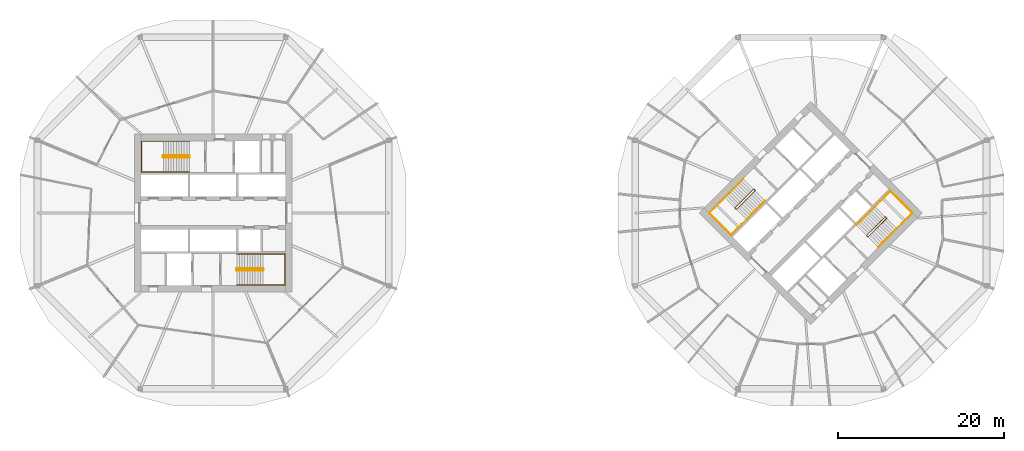
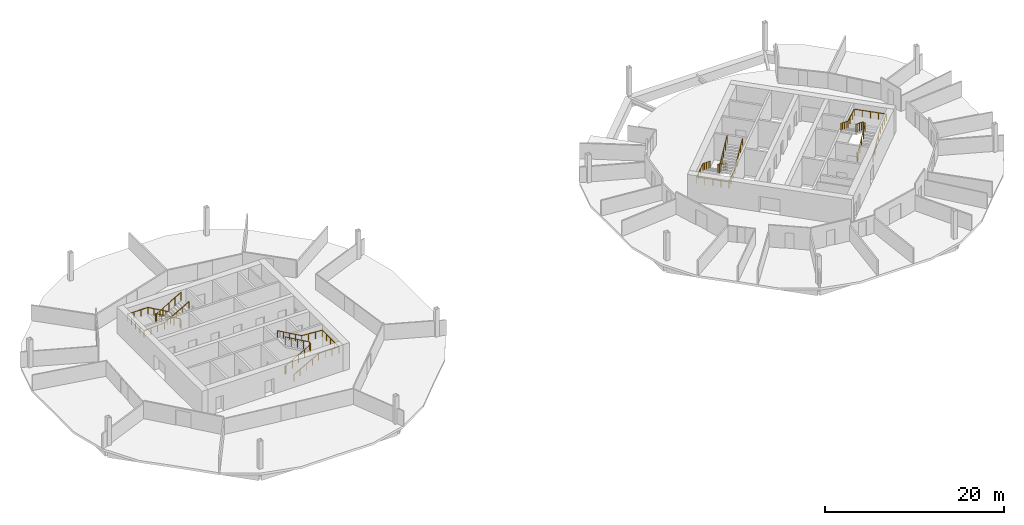
# One storey, part 9 of 9: 8 railings.
"""IFC4 building model written with IfcOpenShell, lengths in metres."""

from ifc_helpers import new_model, si_unit, direction, frame, origin, origin_2d, place, context, subcontext, project, spatial, circle, extrude, material, type_object, element, save


model = new_model("IFC4")

# Units and contexts
model_context = context("Model", 3, precision=1e-05, world=origin(), true_north=direction((0.0, 1.0)))
body_context = subcontext(model_context, "Body", "Model", "MODEL_VIEW")
ifc_project = project(units=[si_unit("LENGTHUNIT", "METRE"), si_unit("AREAUNIT", "SQUARE_METRE"), si_unit("VOLUMEUNIT", "CUBIC_METRE"), si_unit("PLANEANGLEUNIT", "RADIAN"), si_unit("MASSUNIT", "GRAM", prefix="KILO")], contexts=[model_context])

# Site, building, storey
site_placement = place(None, origin())
site = spatial("IfcSite", under=ifc_project, at=site_placement, CompositionType="ELEMENT")
building_placement = place(site_placement, origin())
building = spatial("IfcBuilding", under=site, at=building_placement, Name="Ogive Gate Towers", CompositionType="ELEMENT")
storey_placement = place(building_placement, frame((0.0, 0.0, 67.5)))
storey = spatial("IfcBuildingStorey", under=building, at=storey_placement, Name="L15", CompositionType="ELEMENT", Elevation=67.5)

# Railings
ifc_material = material(Name="Stainless steel", Category="steel")
railing_type_1 = type_object("IfcRailingType", Name="Stair guard 1100", PredefinedType="GUARDRAIL", material=ifc_material)
railing_1_placement = place(storey_placement, frame((-38.81494140625, 6.860107421875, 0.0)))
element("IfcRailing", 1, at=railing_1_placement, inside=storey, type_object=railing_type_1, Name="L15 ST1 stair guard 1", PredefinedType="GUARDRAIL", context=body_context, shape_type="SweptSolid", body=[
    extrude(circle(Radius=0.02392578125, at=origin_2d()), frame((0.0, 0.0, 1.076171875), z_axis=(0.0, -1.0, 0.0), x_axis=(1.0, 0.0, 0.0)), (0.0, 0.0, 1.0), 0.14501953125),
    extrude(circle(Radius=0.02392578125, at=origin_2d()), frame((0.0, -0.14501953125, 1.076171875), z_axis=(-0.186679794065, 0.726685247142, 0.661119660934), x_axis=(-0.968551454522, -0.24881334358, 0.0)), (0.0, 0.0, 1.0), 0.26806640625),
    extrude(circle(Radius=0.02392578125, at=origin_2d()), frame((-0.050048828125, 0.0498046875, 1.25341796875), z_axis=(-0.870572935281, 0.0, 0.492039393094), x_axis=(0.0, -1.0, 0.0)), (0.0, 0.0, 1.0), 3.602783203125),
    extrude(circle(Radius=0.02392578125, at=origin_2d()), frame((-3.1865234375, 0.0498046875, 3.02587890625), z_axis=(-0.707106781187, -0.707106781187, 0.0), x_axis=(0.707106781187, -0.707106781187, 0.0)), (0.0, 0.0, 1.0), 0.0703125),
    extrude(circle(Radius=0.02392578125, at=origin_2d()), frame((-3.236328125, 0.0, 3.02587890625), z_axis=(0.0, -1.0, 0.0), x_axis=(1.0, 0.0, 0.0)), (0.0, 0.0, 1.0), 0.14501953125),
    extrude(circle(Radius=0.02392578125, at=origin_2d()), frame((-3.236328125, -0.14501953125, 3.02587890625), z_axis=(0.261041864531, -0.262321481514, 0.929001929653), x_axis=(0.708833529934, 0.705375805398, 0.0)), (0.0, 0.0, 1.0), 0.190673828125),
    extrude(circle(Radius=0.02392578125, at=origin_2d()), frame((-3.1865234375, -0.195068359375, 3.203125), z_axis=(0.870572935281, 0.0, 0.492039393094), x_axis=(0.0, 1.0, 0.0)), (0.0, 0.0, 1.0), 3.602783203125),
    extrude(circle(Radius=0.02099609375, at=origin_2d()), origin(), (0.0, 0.0, 1.0), 1.052001953125),
    extrude(circle(Radius=0.02099609375, at=origin_2d()), frame((0.0, -0.14501953125, 0.0)), (0.0, 0.0, 1.0), 1.052001953125),
    extrude(circle(Radius=0.02099609375, at=origin_2d()), frame((-0.050048828125, 0.0498046875, 0.17724609375)), (0.0, 0.0, 1.0), 1.052001953125),
    extrude(circle(Radius=0.02099609375, at=origin_2d()), frame((-0.834228515625, 0.0498046875, 0.620361328125)), (0.0, 0.0, 1.0), 1.052001953125),
    extrude(circle(Radius=0.02099609375, at=origin_2d()), frame((-1.6181640625, 0.0498046875, 1.0634765625)), (0.0, 0.0, 1.0), 1.052001953125),
    extrude(circle(Radius=0.02099609375, at=origin_2d()), frame((-2.40234375, 0.0498046875, 1.5068359375)), (0.0, 0.0, 1.0), 1.052001953125),
    extrude(circle(Radius=0.02099609375, at=origin_2d()), frame((-3.1865234375, 0.0498046875, 1.949951171875)), (0.0, 0.0, 1.0), 1.052001953125),
    extrude(circle(Radius=0.02099609375, at=origin_2d()), frame((-3.236328125, 0.0, 1.949951171875)), (0.0, 0.0, 1.0), 1.052001953125),
    extrude(circle(Radius=0.02099609375, at=origin_2d()), frame((-3.236328125, -0.14501953125, 1.949951171875)), (0.0, 0.0, 1.0), 1.052001953125),
    extrude(circle(Radius=0.02099609375, at=origin_2d()), frame((-3.1865234375, -0.195068359375, 2.127197265625)), (0.0, 0.0, 1.0), 1.052001953125),
    extrude(circle(Radius=0.02099609375, at=origin_2d()), frame((-2.40234375, -0.195068359375, 2.5703125)), (0.0, 0.0, 1.0), 1.052001953125),
    extrude(circle(Radius=0.02099609375, at=origin_2d()), frame((-1.6181640625, -0.195068359375, 3.013671875)), (0.0, 0.0, 1.0), 1.052001953125),
    extrude(circle(Radius=0.02099609375, at=origin_2d()), frame((-0.834228515625, -0.195068359375, 3.456787109375)), (0.0, 0.0, 1.0), 1.052001953125),
    extrude(circle(Radius=0.02099609375, at=origin_2d()), frame((-0.050048828125, -0.195068359375, 3.89990234375)), (0.0, 0.0, 1.0), 1.052001953125),
])
railing_2_placement = place(storey_placement, frame((-33.18505859375, -6.860107421875, 0.0)))
element("IfcRailing", 2, at=railing_2_placement, inside=storey, type_object=railing_type_1, Name="L15 ST2 stair guard 1", PredefinedType="GUARDRAIL", context=body_context, shape_type="SweptSolid", body=[
    extrude(circle(Radius=0.02392578125, at=origin_2d()), frame((0.0, 0.0, 1.076171875), z_axis=(0.0, 1.0, 0.0), x_axis=(-1.0, 0.0, 0.0)), (0.0, 0.0, 1.0), 0.14501953125),
    extrude(circle(Radius=0.02392578125, at=origin_2d()), frame((0.0, 0.14501953125, 1.076171875), z_axis=(0.186679794065, -0.726685247142, 0.661119660934), x_axis=(0.968551454522, 0.24881334358, 0.0)), (0.0, 0.0, 1.0), 0.26806640625),
    extrude(circle(Radius=0.02392578125, at=origin_2d()), frame((0.050048828125, -0.0498046875, 1.25341796875), z_axis=(0.870572935281, 0.0, 0.492039393094), x_axis=(0.0, 1.0, 0.0)), (0.0, 0.0, 1.0), 3.602783203125),
    extrude(circle(Radius=0.02392578125, at=origin_2d()), frame((3.1865234375, -0.0498046875, 3.02587890625), z_axis=(0.707106781187, 0.707106781187, 0.0), x_axis=(-0.707106781187, 0.707106781187, 0.0)), (0.0, 0.0, 1.0), 0.0703125),
    extrude(circle(Radius=0.02392578125, at=origin_2d()), frame((3.236328125, 0.0, 3.02587890625), z_axis=(0.0, 1.0, 0.0), x_axis=(-1.0, 0.0, 0.0)), (0.0, 0.0, 1.0), 0.14501953125),
    extrude(circle(Radius=0.02392578125, at=origin_2d()), frame((3.236328125, 0.14501953125, 3.02587890625), z_axis=(-0.261041864531, 0.262321481514, 0.929001929653), x_axis=(-0.708833529934, -0.705375805398, 0.0)), (0.0, 0.0, 1.0), 0.190673828125),
    extrude(circle(Radius=0.02392578125, at=origin_2d()), frame((3.1865234375, 0.195068359375, 3.203125), z_axis=(-0.870572935281, 0.0, 0.492039393094), x_axis=(0.0, -1.0, 0.0)), (0.0, 0.0, 1.0), 3.602783203125),
    extrude(circle(Radius=0.02099609375, at=origin_2d()), origin(), (0.0, 0.0, 1.0), 1.052001953125),
    extrude(circle(Radius=0.02099609375, at=origin_2d()), frame((0.0, 0.14501953125, 0.0)), (0.0, 0.0, 1.0), 1.052001953125),
    extrude(circle(Radius=0.02099609375, at=origin_2d()), frame((0.050048828125, -0.0498046875, 0.17724609375)), (0.0, 0.0, 1.0), 1.052001953125),
    extrude(circle(Radius=0.02099609375, at=origin_2d()), frame((0.834228515625, -0.0498046875, 0.620361328125)), (0.0, 0.0, 1.0), 1.052001953125),
    extrude(circle(Radius=0.02099609375, at=origin_2d()), frame((1.6181640625, -0.0498046875, 1.0634765625)), (0.0, 0.0, 1.0), 1.052001953125),
    extrude(circle(Radius=0.02099609375, at=origin_2d()), frame((2.40234375, -0.0498046875, 1.5068359375)), (0.0, 0.0, 1.0), 1.052001953125),
    extrude(circle(Radius=0.02099609375, at=origin_2d()), frame((3.1865234375, -0.0498046875, 1.949951171875)), (0.0, 0.0, 1.0), 1.052001953125),
    extrude(circle(Radius=0.02099609375, at=origin_2d()), frame((3.236328125, 0.0, 1.949951171875)), (0.0, 0.0, 1.0), 1.052001953125),
    extrude(circle(Radius=0.02099609375, at=origin_2d()), frame((3.236328125, 0.14501953125, 1.949951171875)), (0.0, 0.0, 1.0), 1.052001953125),
    extrude(circle(Radius=0.02099609375, at=origin_2d()), frame((3.1865234375, 0.195068359375, 2.127197265625)), (0.0, 0.0, 1.0), 1.052001953125),
    extrude(circle(Radius=0.02099609375, at=origin_2d()), frame((2.40234375, 0.195068359375, 2.5703125)), (0.0, 0.0, 1.0), 1.052001953125),
    extrude(circle(Radius=0.02099609375, at=origin_2d()), frame((1.6181640625, 0.195068359375, 3.013671875)), (0.0, 0.0, 1.0), 1.052001953125),
    extrude(circle(Radius=0.02099609375, at=origin_2d()), frame((0.834228515625, 0.195068359375, 3.456787109375)), (0.0, 0.0, 1.0), 1.052001953125),
    extrude(circle(Radius=0.02099609375, at=origin_2d()), frame((0.050048828125, 0.195068359375, 3.89990234375)), (0.0, 0.0, 1.0), 1.052001953125),
])
railing_3_placement = place(storey_placement, frame((29.15869140625, 2.8603515625, 0.0)))
element("IfcRailing", 3, at=railing_3_placement, inside=storey, type_object=railing_type_1, Name="L15 ST1 stair guard 1", PredefinedType="GUARDRAIL", context=body_context, shape_type="SweptSolid", body=[
    extrude(circle(Radius=0.02392578125, at=origin_2d()), frame((0.0, 0.0, 1.076171875), z_axis=(0.707106781187, -0.707106781187, 0.0), x_axis=(0.707106781187, 0.707106781187, 0.0)), (0.0, 0.0, 1.0), 0.14501953125),
    extrude(circle(Radius=0.02392578125, at=origin_2d()), frame((0.1025390625, -0.1025390625, 1.076171875), z_axis=(-0.645571447971, 0.382425963537, 0.661050594114), x_axis=(-0.509669330572, -0.860370369942, 0.0)), (0.0, 0.0, 1.0), 0.26806640625),
    extrude(circle(Radius=0.02392578125, at=origin_2d()), frame((-0.070556640625, 0.0, 1.25341796875), z_axis=(-0.61558473135, -0.61558473135, 0.49204763698), x_axis=(0.707106781187, -0.707106781187, 0.0)), (0.0, 0.0, 1.0), 3.602783203125),
    extrude(circle(Radius=0.02392578125, at=origin_2d()), frame((-2.288330078125, -2.2177734375, 3.02587890625), z_axis=(0.0, -1.0, 0.0), x_axis=(1.0, 0.0, 0.0)), (0.0, 0.0, 1.0), 0.07080078125),
    extrude(circle(Radius=0.02392578125, at=origin_2d()), frame((-2.288330078125, -2.28857421875, 3.02587890625), z_axis=(0.707106781187, -0.707106781187, 0.0), x_axis=(0.707106781187, 0.707106781187, 0.0)), (0.0, 0.0, 1.0), 0.14501953125),
    extrude(circle(Radius=0.02392578125, at=origin_2d()), frame((-2.185791015625, -2.39111328125, 3.02587890625), z_axis=(0.369845645421, 0.0, 0.929093213065), x_axis=(0.0, 1.0, 0.0)), (0.0, 0.0, 1.0), 0.190673828125),
    extrude(circle(Radius=0.02392578125, at=origin_2d()), frame((-2.115234375, -2.39111328125, 3.203125), z_axis=(0.61558473135, 0.61558473135, 0.49204763698), x_axis=(-0.707106781187, 0.707106781187, 0.0)), (0.0, 0.0, 1.0), 3.602783203125),
    extrude(circle(Radius=0.02099609375, at=origin_2d()), origin(), (0.0, 0.0, 1.0), 1.052001953125),
    extrude(circle(Radius=0.02099609375, at=origin_2d()), frame((0.1025390625, -0.1025390625, 0.0)), (0.0, 0.0, 1.0), 1.052001953125),
    extrude(circle(Radius=0.02099609375, at=origin_2d()), frame((-0.070556640625, 0.0, 0.17724609375)), (0.0, 0.0, 1.0), 1.052001953125),
    extrude(circle(Radius=0.02099609375, at=origin_2d()), frame((-0.625, -0.554443359375, 0.620361328125)), (0.0, 0.0, 1.0), 1.052001953125),
    extrude(circle(Radius=0.02099609375, at=origin_2d()), frame((-1.179443359375, -1.10888671875, 1.0634765625)), (0.0, 0.0, 1.0), 1.052001953125),
    extrude(circle(Radius=0.02099609375, at=origin_2d()), frame((-1.73388671875, -1.663330078125, 1.5068359375)), (0.0, 0.0, 1.0), 1.052001953125),
    extrude(circle(Radius=0.02099609375, at=origin_2d()), frame((-2.288330078125, -2.2177734375, 1.949951171875)), (0.0, 0.0, 1.0), 1.052001953125),
    extrude(circle(Radius=0.02099609375, at=origin_2d()), frame((-2.288330078125, -2.28857421875, 1.949951171875)), (0.0, 0.0, 1.0), 1.052001953125),
    extrude(circle(Radius=0.02099609375, at=origin_2d()), frame((-2.185791015625, -2.39111328125, 1.949951171875)), (0.0, 0.0, 1.0), 1.052001953125),
    extrude(circle(Radius=0.02099609375, at=origin_2d()), frame((-2.115234375, -2.39111328125, 2.127197265625)), (0.0, 0.0, 1.0), 1.052001953125),
    extrude(circle(Radius=0.02099609375, at=origin_2d()), frame((-1.560791015625, -1.836669921875, 2.5703125)), (0.0, 0.0, 1.0), 1.052001953125),
    extrude(circle(Radius=0.02099609375, at=origin_2d()), frame((-1.00634765625, -1.2822265625, 3.013671875)), (0.0, 0.0, 1.0), 1.052001953125),
    extrude(circle(Radius=0.02099609375, at=origin_2d()), frame((-0.451904296875, -0.727783203125, 3.456787109375)), (0.0, 0.0, 1.0), 1.052001953125),
    extrude(circle(Radius=0.02099609375, at=origin_2d()), frame((0.1025390625, -0.17333984375, 3.89990234375)), (0.0, 0.0, 1.0), 1.052001953125),
])
railing_4_placement = place(storey_placement, frame((42.84130859375, -2.8603515625, 0.0)))
element("IfcRailing", 4, at=railing_4_placement, inside=storey, type_object=railing_type_1, Name="L15 ST2 stair guard 1", PredefinedType="GUARDRAIL", context=body_context, shape_type="SweptSolid", body=[
    extrude(circle(Radius=0.02392578125, at=origin_2d()), frame((0.0, 0.0, 1.076171875), z_axis=(-0.707106781187, 0.707106781187, 0.0), x_axis=(-0.707106781187, -0.707106781187, 0.0)), (0.0, 0.0, 1.0), 0.14501953125),
    extrude(circle(Radius=0.02392578125, at=origin_2d()), frame((-0.1025390625, 0.1025390625, 1.076171875), z_axis=(0.645571447971, -0.382425963537, 0.661050594114), x_axis=(0.509669330572, 0.860370369942, 0.0)), (0.0, 0.0, 1.0), 0.26806640625),
    extrude(circle(Radius=0.02392578125, at=origin_2d()), frame((0.070556640625, 0.0, 1.25341796875), z_axis=(0.61558473135, 0.61558473135, 0.49204763698), x_axis=(-0.707106781187, 0.707106781187, 0.0)), (0.0, 0.0, 1.0), 3.602783203125),
    extrude(circle(Radius=0.02392578125, at=origin_2d()), frame((2.288330078125, 2.2177734375, 3.02587890625), z_axis=(0.0, 1.0, 0.0), x_axis=(-1.0, 0.0, 0.0)), (0.0, 0.0, 1.0), 0.07080078125),
    extrude(circle(Radius=0.02392578125, at=origin_2d()), frame((2.288330078125, 2.28857421875, 3.02587890625), z_axis=(-0.707106781187, 0.707106781187, 0.0), x_axis=(-0.707106781187, -0.707106781187, 0.0)), (0.0, 0.0, 1.0), 0.14501953125),
    extrude(circle(Radius=0.02392578125, at=origin_2d()), frame((2.185791015625, 2.39111328125, 3.02587890625), z_axis=(-0.369845645421, 0.0, 0.929093213065), x_axis=(0.0, -1.0, 0.0)), (0.0, 0.0, 1.0), 0.190673828125),
    extrude(circle(Radius=0.02392578125, at=origin_2d()), frame((2.115234375, 2.39111328125, 3.203125), z_axis=(-0.61558473135, -0.61558473135, 0.49204763698), x_axis=(0.707106781187, -0.707106781187, 0.0)), (0.0, 0.0, 1.0), 3.602783203125),
    extrude(circle(Radius=0.02099609375, at=origin_2d()), origin(), (0.0, 0.0, 1.0), 1.052001953125),
    extrude(circle(Radius=0.02099609375, at=origin_2d()), frame((-0.1025390625, 0.1025390625, 0.0)), (0.0, 0.0, 1.0), 1.052001953125),
    extrude(circle(Radius=0.02099609375, at=origin_2d()), frame((0.070556640625, 0.0, 0.17724609375)), (0.0, 0.0, 1.0), 1.052001953125),
    extrude(circle(Radius=0.02099609375, at=origin_2d()), frame((0.625, 0.554443359375, 0.620361328125)), (0.0, 0.0, 1.0), 1.052001953125),
    extrude(circle(Radius=0.02099609375, at=origin_2d()), frame((1.179443359375, 1.10888671875, 1.0634765625)), (0.0, 0.0, 1.0), 1.052001953125),
    extrude(circle(Radius=0.02099609375, at=origin_2d()), frame((1.73388671875, 1.663330078125, 1.5068359375)), (0.0, 0.0, 1.0), 1.052001953125),
    extrude(circle(Radius=0.02099609375, at=origin_2d()), frame((2.288330078125, 2.2177734375, 1.949951171875)), (0.0, 0.0, 1.0), 1.052001953125),
    extrude(circle(Radius=0.02099609375, at=origin_2d()), frame((2.288330078125, 2.28857421875, 1.949951171875)), (0.0, 0.0, 1.0), 1.052001953125),
    extrude(circle(Radius=0.02099609375, at=origin_2d()), frame((2.185791015625, 2.39111328125, 1.949951171875)), (0.0, 0.0, 1.0), 1.052001953125),
    extrude(circle(Radius=0.02099609375, at=origin_2d()), frame((2.115234375, 2.39111328125, 2.127197265625)), (0.0, 0.0, 1.0), 1.052001953125),
    extrude(circle(Radius=0.02099609375, at=origin_2d()), frame((1.560791015625, 1.836669921875, 2.5703125)), (0.0, 0.0, 1.0), 1.052001953125),
    extrude(circle(Radius=0.02099609375, at=origin_2d()), frame((1.00634765625, 1.2822265625, 3.013671875)), (0.0, 0.0, 1.0), 1.052001953125),
    extrude(circle(Radius=0.02099609375, at=origin_2d()), frame((0.451904296875, 0.727783203125, 3.456787109375)), (0.0, 0.0, 1.0), 1.052001953125),
    extrude(circle(Radius=0.02099609375, at=origin_2d()), frame((-0.1025390625, 0.17333984375, 3.89990234375)), (0.0, 0.0, 1.0), 1.052001953125),
])
railing_type_2 = type_object("IfcRailingType", Name="Stair handrail 900", PredefinedType="HANDRAIL", material=ifc_material)
railing_5_placement = place(storey_placement, frame((-38.864990234375, 8.64990234375, 0.17724609375)))
element("IfcRailing", 5, at=railing_5_placement, inside=storey, type_object=railing_type_2, Name="L15 ST1 stair handrail 1", PredefinedType="HANDRAIL", context=body_context, shape_type="SweptSolid", body=[
    extrude(circle(Radius=0.02392578125, at=origin_2d()), frame((0.0, 0.0, 0.8759765625), z_axis=(-0.870572935281, 0.0, 0.492039393094), x_axis=(0.0, -1.0, 0.0)), (0.0, 0.0, 1.0), 3.602783203125),
    extrude(circle(Radius=0.02392578125, at=origin_2d()), frame((-3.136474609375, 0.0, 2.6484375), z_axis=(-1.0, 0.0, 0.0), x_axis=(0.0, -1.0, 0.0)), (0.0, 0.0, 1.0), 2.6484375),
    extrude(circle(Radius=0.02392578125, at=origin_2d()), frame((-5.784912109375, 0.0, 2.6484375), z_axis=(0.0, -1.0, 0.0), x_axis=(1.0, 0.0, 0.0)), (0.0, 0.0, 1.0), 3.724853515625),
    extrude(circle(Radius=0.02392578125, at=origin_2d()), frame((-5.784912109375, -3.724853515625, 2.6484375), z_axis=(0.997768031817, 0.0, 0.066775404784), x_axis=(0.0, 1.0, 0.0)), (0.0, 0.0, 1.0), 2.654296875),
    extrude(circle(Radius=0.02392578125, at=origin_2d()), frame((-3.136474609375, -3.724853515625, 2.82568359375), z_axis=(0.870572935281, 0.0, 0.492039393094), x_axis=(0.0, 1.0, 0.0)), (0.0, 0.0, 1.0), 3.602783203125),
    extrude(circle(Radius=0.02099609375, at=origin_2d()), origin(), (0.0, 0.0, 1.0), 0.851806640625),
    extrude(circle(Radius=0.02099609375, at=origin_2d()), frame((-0.7841796875, 0.0, 0.443115234375)), (0.0, 0.0, 1.0), 0.851806640625),
    extrude(circle(Radius=0.02099609375, at=origin_2d()), frame((-1.568359375, 0.0, 0.88623046875)), (0.0, 0.0, 1.0), 0.851806640625),
    extrude(circle(Radius=0.02099609375, at=origin_2d()), frame((-2.352294921875, 0.0, 1.32958984375)), (0.0, 0.0, 1.0), 0.851806640625),
    extrude(circle(Radius=0.02099609375, at=origin_2d()), frame((-3.136474609375, 0.0, 1.772705078125)), (0.0, 0.0, 1.0), 0.851806640625),
    extrude(circle(Radius=0.02099609375, at=origin_2d()), frame((-4.019287109375, 0.0, 1.772705078125)), (0.0, 0.0, 1.0), 0.851806640625),
    extrude(circle(Radius=0.02099609375, at=origin_2d()), frame((-4.902099609375, 0.0, 1.772705078125)), (0.0, 0.0, 1.0), 0.851806640625),
    extrude(circle(Radius=0.02099609375, at=origin_2d()), frame((-5.784912109375, 0.0, 1.772705078125)), (0.0, 0.0, 1.0), 0.851806640625),
    extrude(circle(Radius=0.02099609375, at=origin_2d()), frame((-5.784912109375, -0.93115234375, 1.772705078125)), (0.0, 0.0, 1.0), 0.851806640625),
    extrude(circle(Radius=0.02099609375, at=origin_2d()), frame((-5.784912109375, -1.8623046875, 1.772705078125)), (0.0, 0.0, 1.0), 0.851806640625),
    extrude(circle(Radius=0.02099609375, at=origin_2d()), frame((-5.784912109375, -2.793701171875, 1.772705078125)), (0.0, 0.0, 1.0), 0.851806640625),
    extrude(circle(Radius=0.02099609375, at=origin_2d()), frame((-5.784912109375, -3.724853515625, 1.772705078125)), (0.0, 0.0, 1.0), 0.851806640625),
    extrude(circle(Radius=0.02099609375, at=origin_2d()), frame((-4.902099609375, -3.724853515625, 1.831787109375)), (0.0, 0.0, 1.0), 0.851806640625),
    extrude(circle(Radius=0.02099609375, at=origin_2d()), frame((-4.019287109375, -3.724853515625, 1.890869140625)), (0.0, 0.0, 1.0), 0.851806640625),
    extrude(circle(Radius=0.02099609375, at=origin_2d()), frame((-3.136474609375, -3.724853515625, 1.949951171875)), (0.0, 0.0, 1.0), 0.851806640625),
    extrude(circle(Radius=0.02099609375, at=origin_2d()), frame((-2.352294921875, -3.724853515625, 2.39306640625)), (0.0, 0.0, 1.0), 0.851806640625),
    extrude(circle(Radius=0.02099609375, at=origin_2d()), frame((-1.568359375, -3.724853515625, 2.83642578125)), (0.0, 0.0, 1.0), 0.851806640625),
    extrude(circle(Radius=0.02099609375, at=origin_2d()), frame((-0.7841796875, -3.724853515625, 3.279541015625)), (0.0, 0.0, 1.0), 0.851806640625),
    extrude(circle(Radius=0.02099609375, at=origin_2d()), frame((0.0, -3.724853515625, 3.72265625)), (0.0, 0.0, 1.0), 0.851806640625),
])
railing_6_placement = place(storey_placement, frame((-33.135009765625, -8.64990234375, 0.17724609375)))
element("IfcRailing", 6, at=railing_6_placement, inside=storey, type_object=railing_type_2, Name="L15 ST2 stair handrail 1", PredefinedType="HANDRAIL", context=body_context, shape_type="SweptSolid", body=[
    extrude(circle(Radius=0.02392578125, at=origin_2d()), frame((0.0, 0.0, 0.8759765625), z_axis=(0.870572935281, 0.0, 0.492039393094), x_axis=(0.0, 1.0, 0.0)), (0.0, 0.0, 1.0), 3.602783203125),
    extrude(circle(Radius=0.02392578125, at=origin_2d()), frame((3.136474609375, 0.0, 2.6484375), z_axis=(1.0, 0.0, 0.0), x_axis=(0.0, 1.0, 0.0)), (0.0, 0.0, 1.0), 2.6484375),
    extrude(circle(Radius=0.02392578125, at=origin_2d()), frame((5.784912109375, 0.0, 2.6484375), z_axis=(0.0, 1.0, 0.0), x_axis=(-1.0, 0.0, 0.0)), (0.0, 0.0, 1.0), 3.724853515625),
    extrude(circle(Radius=0.02392578125, at=origin_2d()), frame((5.784912109375, 3.724853515625, 2.6484375), z_axis=(-0.997768031817, 0.0, 0.066775404784), x_axis=(0.0, -1.0, 0.0)), (0.0, 0.0, 1.0), 2.654296875),
    extrude(circle(Radius=0.02392578125, at=origin_2d()), frame((3.136474609375, 3.724853515625, 2.82568359375), z_axis=(-0.870572935281, 0.0, 0.492039393094), x_axis=(0.0, -1.0, 0.0)), (0.0, 0.0, 1.0), 3.602783203125),
    extrude(circle(Radius=0.02099609375, at=origin_2d()), origin(), (0.0, 0.0, 1.0), 0.851806640625),
    extrude(circle(Radius=0.02099609375, at=origin_2d()), frame((0.7841796875, 0.0, 0.443115234375)), (0.0, 0.0, 1.0), 0.851806640625),
    extrude(circle(Radius=0.02099609375, at=origin_2d()), frame((1.568359375, 0.0, 0.88623046875)), (0.0, 0.0, 1.0), 0.851806640625),
    extrude(circle(Radius=0.02099609375, at=origin_2d()), frame((2.352294921875, 0.0, 1.32958984375)), (0.0, 0.0, 1.0), 0.851806640625),
    extrude(circle(Radius=0.02099609375, at=origin_2d()), frame((3.136474609375, 0.0, 1.772705078125)), (0.0, 0.0, 1.0), 0.851806640625),
    extrude(circle(Radius=0.02099609375, at=origin_2d()), frame((4.019287109375, 0.0, 1.772705078125)), (0.0, 0.0, 1.0), 0.851806640625),
    extrude(circle(Radius=0.02099609375, at=origin_2d()), frame((4.902099609375, 0.0, 1.772705078125)), (0.0, 0.0, 1.0), 0.851806640625),
    extrude(circle(Radius=0.02099609375, at=origin_2d()), frame((5.784912109375, 0.0, 1.772705078125)), (0.0, 0.0, 1.0), 0.851806640625),
    extrude(circle(Radius=0.02099609375, at=origin_2d()), frame((5.784912109375, 0.93115234375, 1.772705078125)), (0.0, 0.0, 1.0), 0.851806640625),
    extrude(circle(Radius=0.02099609375, at=origin_2d()), frame((5.784912109375, 1.8623046875, 1.772705078125)), (0.0, 0.0, 1.0), 0.851806640625),
    extrude(circle(Radius=0.02099609375, at=origin_2d()), frame((5.784912109375, 2.793701171875, 1.772705078125)), (0.0, 0.0, 1.0), 0.851806640625),
    extrude(circle(Radius=0.02099609375, at=origin_2d()), frame((5.784912109375, 3.724853515625, 1.772705078125)), (0.0, 0.0, 1.0), 0.851806640625),
    extrude(circle(Radius=0.02099609375, at=origin_2d()), frame((4.902099609375, 3.724853515625, 1.831787109375)), (0.0, 0.0, 1.0), 0.851806640625),
    extrude(circle(Radius=0.02099609375, at=origin_2d()), frame((4.019287109375, 3.724853515625, 1.890869140625)), (0.0, 0.0, 1.0), 0.851806640625),
    extrude(circle(Radius=0.02099609375, at=origin_2d()), frame((3.136474609375, 3.724853515625, 1.949951171875)), (0.0, 0.0, 1.0), 0.851806640625),
    extrude(circle(Radius=0.02099609375, at=origin_2d()), frame((2.352294921875, 3.724853515625, 2.39306640625)), (0.0, 0.0, 1.0), 0.851806640625),
    extrude(circle(Radius=0.02099609375, at=origin_2d()), frame((1.568359375, 3.724853515625, 2.83642578125)), (0.0, 0.0, 1.0), 0.851806640625),
    extrude(circle(Radius=0.02099609375, at=origin_2d()), frame((0.7841796875, 3.724853515625, 3.279541015625)), (0.0, 0.0, 1.0), 0.851806640625),
    extrude(circle(Radius=0.02099609375, at=origin_2d()), frame((0.0, 3.724853515625, 3.72265625)), (0.0, 0.0, 1.0), 0.851806640625),
])
railing_7_placement = place(storey_placement, frame((27.857666015625, 4.090576171875, 0.17724609375)))
element("IfcRailing", 7, at=railing_7_placement, inside=storey, type_object=railing_type_2, Name="L15 ST1 stair handrail 1", PredefinedType="HANDRAIL", context=body_context, shape_type="SweptSolid", body=[
    extrude(circle(Radius=0.02392578125, at=origin_2d()), frame((0.0, 0.0, 0.8759765625), z_axis=(-0.61558473135, -0.61558473135, 0.49204763698), x_axis=(0.707106781187, -0.707106781187, 0.0)), (0.0, 0.0, 1.0), 3.602783203125),
    extrude(circle(Radius=0.02392578125, at=origin_2d()), frame((-2.2177734375, -2.2177734375, 2.6484375), z_axis=(-0.707106781187, -0.707106781187, 0.0), x_axis=(0.707106781187, -0.707106781187, 0.0)), (0.0, 0.0, 1.0), 2.6484375),
    extrude(circle(Radius=0.02392578125, at=origin_2d()), frame((-4.090576171875, -4.090576171875, 2.6484375), z_axis=(0.707106781187, -0.707106781187, 0.0), x_axis=(0.707106781187, 0.707106781187, 0.0)), (0.0, 0.0, 1.0), 3.72509765625),
    extrude(circle(Radius=0.02392578125, at=origin_2d()), frame((-1.45654296875, -6.724609375, 2.6484375), z_axis=(0.705482886452, 0.705574853978, 0.066768423356), x_axis=(-0.70715286629, 0.70706069308, 0.0)), (0.0, 0.0, 1.0), 2.654541015625),
    extrude(circle(Radius=0.02392578125, at=origin_2d()), frame((0.416259765625, -4.8515625, 2.82568359375), z_axis=(0.615610411033, 0.615542642384, 0.4920681632), x_axis=(-0.70706785752, 0.70714570271, 0.0)), (0.0, 0.0, 1.0), 3.6025390625),
    extrude(circle(Radius=0.02099609375, at=origin_2d()), origin(), (0.0, 0.0, 1.0), 0.851806640625),
    extrude(circle(Radius=0.02099609375, at=origin_2d()), frame((-0.554443359375, -0.554443359375, 0.443115234375)), (0.0, 0.0, 1.0), 0.851806640625),
    extrude(circle(Radius=0.02099609375, at=origin_2d()), frame((-1.10888671875, -1.10888671875, 0.88623046875)), (0.0, 0.0, 1.0), 0.851806640625),
    extrude(circle(Radius=0.02099609375, at=origin_2d()), frame((-1.663330078125, -1.663330078125, 1.32958984375)), (0.0, 0.0, 1.0), 0.851806640625),
    extrude(circle(Radius=0.02099609375, at=origin_2d()), frame((-2.2177734375, -2.2177734375, 1.772705078125)), (0.0, 0.0, 1.0), 0.851806640625),
    extrude(circle(Radius=0.02099609375, at=origin_2d()), frame((-2.842041015625, -2.842041015625, 1.772705078125)), (0.0, 0.0, 1.0), 0.851806640625),
    extrude(circle(Radius=0.02099609375, at=origin_2d()), frame((-3.46630859375, -3.46630859375, 1.772705078125)), (0.0, 0.0, 1.0), 0.851806640625),
    extrude(circle(Radius=0.02099609375, at=origin_2d()), frame((-4.090576171875, -4.090576171875, 1.772705078125)), (0.0, 0.0, 1.0), 0.851806640625),
    extrude(circle(Radius=0.02099609375, at=origin_2d()), frame((-3.43212890625, -4.7490234375, 1.772705078125)), (0.0, 0.0, 1.0), 0.851806640625),
    extrude(circle(Radius=0.02099609375, at=origin_2d()), frame((-2.7734375, -5.40771484375, 1.772705078125)), (0.0, 0.0, 1.0), 0.851806640625),
    extrude(circle(Radius=0.02099609375, at=origin_2d()), frame((-2.114990234375, -6.066162109375, 1.772705078125)), (0.0, 0.0, 1.0), 0.851806640625),
    extrude(circle(Radius=0.02099609375, at=origin_2d()), frame((-1.45654296875, -6.724609375, 1.772705078125)), (0.0, 0.0, 1.0), 0.851806640625),
    extrude(circle(Radius=0.02099609375, at=origin_2d()), frame((-0.832275390625, -6.100341796875, 1.831787109375)), (0.0, 0.0, 1.0), 0.851806640625),
    extrude(circle(Radius=0.02099609375, at=origin_2d()), frame((-0.2080078125, -5.475830078125, 1.890869140625)), (0.0, 0.0, 1.0), 0.851806640625),
    extrude(circle(Radius=0.02099609375, at=origin_2d()), frame((0.416259765625, -4.8515625, 1.949951171875)), (0.0, 0.0, 1.0), 0.851806640625),
    extrude(circle(Radius=0.02099609375, at=origin_2d()), frame((0.970703125, -4.297119140625, 2.39306640625)), (0.0, 0.0, 1.0), 0.851806640625),
    extrude(circle(Radius=0.02099609375, at=origin_2d()), frame((1.525146484375, -3.74267578125, 2.83642578125)), (0.0, 0.0, 1.0), 0.851806640625),
    extrude(circle(Radius=0.02099609375, at=origin_2d()), frame((2.07958984375, -3.1884765625, 3.279541015625)), (0.0, 0.0, 1.0), 0.851806640625),
    extrude(circle(Radius=0.02099609375, at=origin_2d()), frame((2.634033203125, -2.634033203125, 3.72265625)), (0.0, 0.0, 1.0), 0.851806640625),
])
railing_8_placement = place(storey_placement, frame((44.142333984375, -4.090576171875, 0.17724609375)))
element("IfcRailing", 8, at=railing_8_placement, inside=storey, type_object=railing_type_2, Name="L15 ST2 stair handrail 1", PredefinedType="HANDRAIL", context=body_context, shape_type="SweptSolid", body=[
    extrude(circle(Radius=0.02392578125, at=origin_2d()), frame((0.0, 0.0, 0.8759765625), z_axis=(0.61558473135, 0.61558473135, 0.49204763698), x_axis=(-0.707106781187, 0.707106781187, 0.0)), (0.0, 0.0, 1.0), 3.602783203125),
    extrude(circle(Radius=0.02392578125, at=origin_2d()), frame((2.2177734375, 2.2177734375, 2.6484375), z_axis=(0.707106781187, 0.707106781187, 0.0), x_axis=(-0.707106781187, 0.707106781187, 0.0)), (0.0, 0.0, 1.0), 2.6484375),
    extrude(circle(Radius=0.02392578125, at=origin_2d()), frame((4.090576171875, 4.090576171875, 2.6484375), z_axis=(-0.707106781187, 0.707106781187, 0.0), x_axis=(-0.707106781187, -0.707106781187, 0.0)), (0.0, 0.0, 1.0), 3.72509765625),
    extrude(circle(Radius=0.02392578125, at=origin_2d()), frame((1.45654296875, 6.724609375, 2.6484375), z_axis=(-0.705482886452, -0.705574853978, 0.066768423356), x_axis=(0.70715286629, -0.70706069308, 0.0)), (0.0, 0.0, 1.0), 2.654541015625),
    extrude(circle(Radius=0.02392578125, at=origin_2d()), frame((-0.416259765625, 4.8515625, 2.82568359375), z_axis=(-0.615610411033, -0.615542642384, 0.4920681632), x_axis=(0.70706785752, -0.70714570271, 0.0)), (0.0, 0.0, 1.0), 3.6025390625),
    extrude(circle(Radius=0.02099609375, at=origin_2d()), origin(), (0.0, 0.0, 1.0), 0.851806640625),
    extrude(circle(Radius=0.02099609375, at=origin_2d()), frame((0.554443359375, 0.554443359375, 0.443115234375)), (0.0, 0.0, 1.0), 0.851806640625),
    extrude(circle(Radius=0.02099609375, at=origin_2d()), frame((1.10888671875, 1.10888671875, 0.88623046875)), (0.0, 0.0, 1.0), 0.851806640625),
    extrude(circle(Radius=0.02099609375, at=origin_2d()), frame((1.663330078125, 1.663330078125, 1.32958984375)), (0.0, 0.0, 1.0), 0.851806640625),
    extrude(circle(Radius=0.02099609375, at=origin_2d()), frame((2.2177734375, 2.2177734375, 1.772705078125)), (0.0, 0.0, 1.0), 0.851806640625),
    extrude(circle(Radius=0.02099609375, at=origin_2d()), frame((2.842041015625, 2.842041015625, 1.772705078125)), (0.0, 0.0, 1.0), 0.851806640625),
    extrude(circle(Radius=0.02099609375, at=origin_2d()), frame((3.46630859375, 3.46630859375, 1.772705078125)), (0.0, 0.0, 1.0), 0.851806640625),
    extrude(circle(Radius=0.02099609375, at=origin_2d()), frame((4.090576171875, 4.090576171875, 1.772705078125)), (0.0, 0.0, 1.0), 0.851806640625),
    extrude(circle(Radius=0.02099609375, at=origin_2d()), frame((3.43212890625, 4.7490234375, 1.772705078125)), (0.0, 0.0, 1.0), 0.851806640625),
    extrude(circle(Radius=0.02099609375, at=origin_2d()), frame((2.7734375, 5.40771484375, 1.772705078125)), (0.0, 0.0, 1.0), 0.851806640625),
    extrude(circle(Radius=0.02099609375, at=origin_2d()), frame((2.114990234375, 6.066162109375, 1.772705078125)), (0.0, 0.0, 1.0), 0.851806640625),
    extrude(circle(Radius=0.02099609375, at=origin_2d()), frame((1.45654296875, 6.724609375, 1.772705078125)), (0.0, 0.0, 1.0), 0.851806640625),
    extrude(circle(Radius=0.02099609375, at=origin_2d()), frame((0.832275390625, 6.100341796875, 1.831787109375)), (0.0, 0.0, 1.0), 0.851806640625),
    extrude(circle(Radius=0.02099609375, at=origin_2d()), frame((0.2080078125, 5.475830078125, 1.890869140625)), (0.0, 0.0, 1.0), 0.851806640625),
    extrude(circle(Radius=0.02099609375, at=origin_2d()), frame((-0.416259765625, 4.8515625, 1.949951171875)), (0.0, 0.0, 1.0), 0.851806640625),
    extrude(circle(Radius=0.02099609375, at=origin_2d()), frame((-0.970703125, 4.297119140625, 2.39306640625)), (0.0, 0.0, 1.0), 0.851806640625),
    extrude(circle(Radius=0.02099609375, at=origin_2d()), frame((-1.525146484375, 3.74267578125, 2.83642578125)), (0.0, 0.0, 1.0), 0.851806640625),
    extrude(circle(Radius=0.02099609375, at=origin_2d()), frame((-2.07958984375, 3.1884765625, 3.279541015625)), (0.0, 0.0, 1.0), 0.851806640625),
    extrude(circle(Radius=0.02099609375, at=origin_2d()), frame((-2.634033203125, 2.634033203125, 3.72265625)), (0.0, 0.0, 1.0), 0.851806640625),
])

save(model, "model.ifc")
